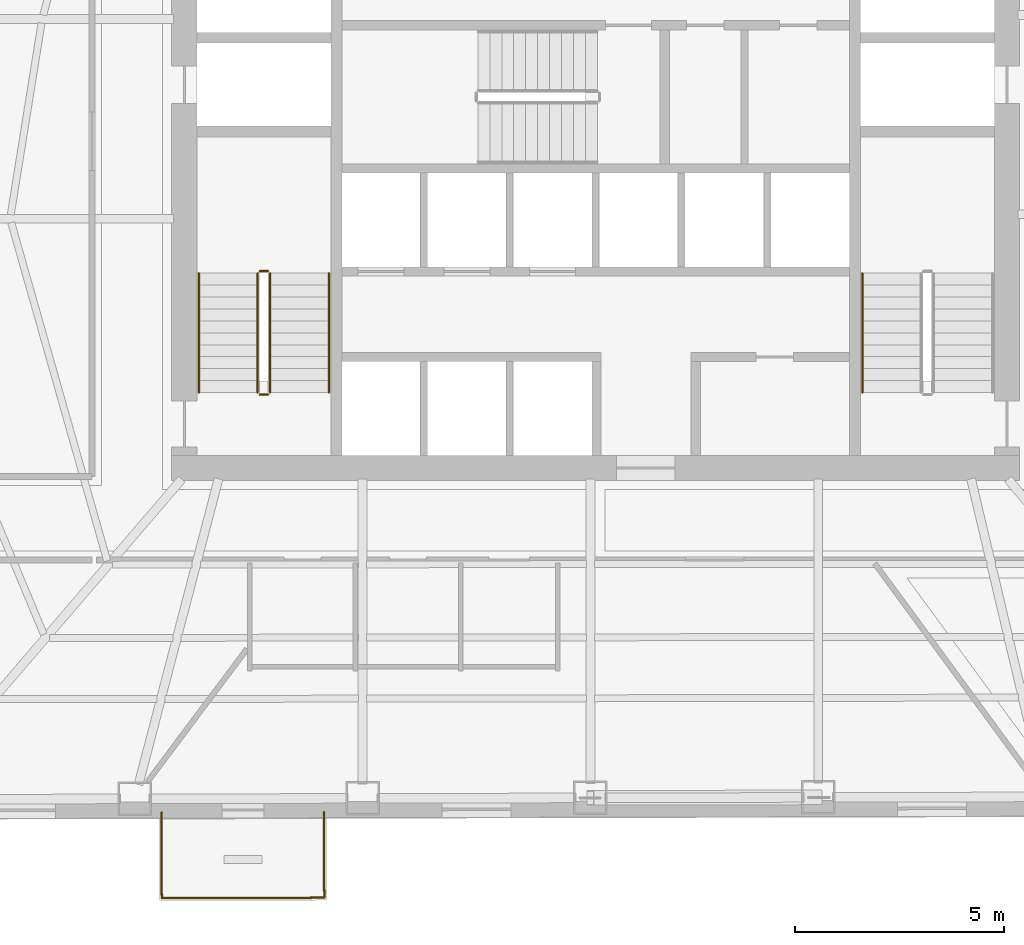
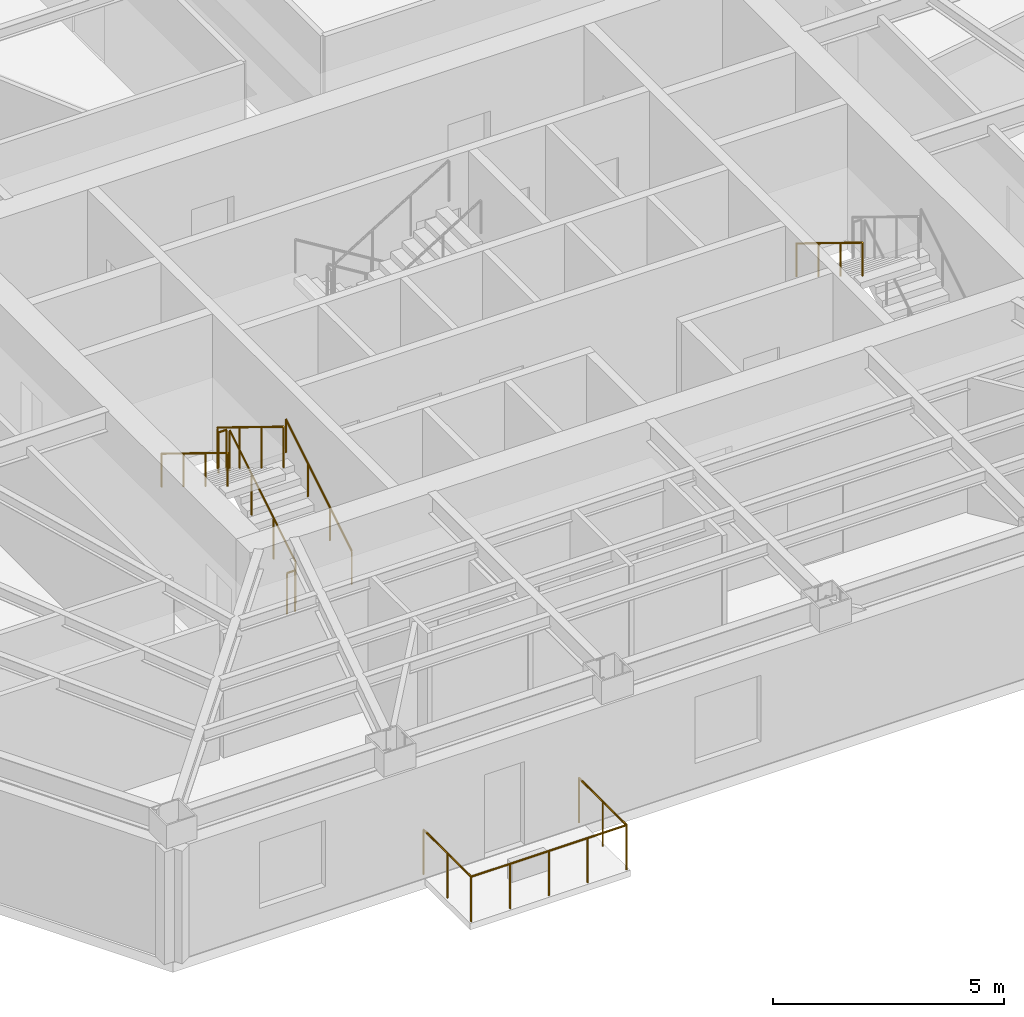
# One storey, part 11 of 14: 10 railings.
"""IFC4 building model written with IfcOpenShell, lengths in metres."""

from ifc_helpers import new_model, si_unit, direction, frame, origin, origin_2d, place, context, subcontext, project, spatial, circle, extrude, material, type_object, element, save


model = new_model("IFC4")

# Units and contexts
model_context = context("Model", 3, precision=1e-05, world=origin(), true_north=direction((0.0, 1.0)))
body_context = subcontext(model_context, "Body", "Model", "MODEL_VIEW")
ifc_project = project(units=[si_unit("LENGTHUNIT", "METRE"), si_unit("AREAUNIT", "SQUARE_METRE"), si_unit("VOLUMEUNIT", "CUBIC_METRE"), si_unit("PLANEANGLEUNIT", "RADIAN"), si_unit("MASSUNIT", "GRAM", prefix="KILO")], contexts=[model_context])

# Site, building, storey
site_placement = place(None, origin())
site = spatial("IfcSite", under=ifc_project, at=site_placement, CompositionType="ELEMENT")
building_placement = place(site_placement, origin())
building = spatial("IfcBuilding", under=site, at=building_placement, Name="Kavelnor Concourse Tower", CompositionType="ELEMENT")
storey_placement = place(building_placement, frame((0.0, 0.0, 17.550048828125)))
storey = spatial("IfcBuildingStorey", under=building, at=storey_placement, Name="L04", CompositionType="ELEMENT", Elevation=17.550048828125)

# Railings
ifc_material_1 = material(Name="Steel Grade 350", Category="steel")
railing_type_1 = type_object("IfcRailingType", Name="RLG-GUARD-1100", PredefinedType="GUARDRAIL", material=ifc_material_1)
railing_1_placement = place(storey_placement, frame((30.22998046875, 11.10009765625, 0.175048828125)))
element("IfcRailing", 1, at=railing_1_placement, inside=storey, type_object=railing_type_1, Name="L04 ST1 stair guard 1", PredefinedType="GUARDRAIL", context=body_context, shape_type="SweptSolid", body=[
    extrude(circle(Radius=0.02392578125, at=origin_2d()), frame((0.0, 0.0, 1.076171875), z_axis=(0.0, 0.852159232446, 0.523282564737), x_axis=(-1.0, 0.0, 0.0)), (0.0, 0.0, 1.0), 3.34423828125),
    extrude(circle(Radius=0.02099609375, at=origin_2d()), origin(), (0.0, 0.0, 1.0), 1.052001953125),
    extrude(circle(Radius=0.02099609375, at=origin_2d()), frame((0.0, 0.949951171875, 0.583251953125)), (0.0, 0.0, 1.0), 1.052001953125),
    extrude(circle(Radius=0.02099609375, at=origin_2d()), frame((0.0, 1.89990234375, 1.166748046875)), (0.0, 0.0, 1.0), 1.052001953125),
    extrude(circle(Radius=0.02099609375, at=origin_2d()), frame((0.0, 2.849853515625, 1.75)), (0.0, 0.0, 1.0), 1.052001953125),
])
railing_2_placement = place(storey_placement, frame((30.179931640625, 14.0, 1.925048828125)))
element("IfcRailing", 2, at=railing_2_placement, inside=storey, type_object=railing_type_1, Name="L04 ST1 stair guard 2", PredefinedType="GUARDRAIL", context=body_context, shape_type="SweptSolid", body=[
    extrude(circle(Radius=0.02392578125, at=origin_2d()), frame((0.0, 0.0, 1.076171875), z_axis=(-1.0, 0.0, 0.0), x_axis=(0.0, -1.0, 0.0)), (0.0, 0.0, 1.0), 0.199951171875),
    extrude(circle(Radius=0.02099609375, at=origin_2d()), origin(), (0.0, 0.0, 1.0), 1.052001953125),
    extrude(circle(Radius=0.02099609375, at=origin_2d()), frame((-0.199951171875, 0.0, 0.0)), (0.0, 0.0, 1.0), 1.052001953125),
])
railing_3_placement = place(storey_placement, frame((29.929931640625, 13.949951171875, 2.099853515625)))
element("IfcRailing", 3, at=railing_3_placement, inside=storey, type_object=railing_type_1, Name="L04 ST1 stair guard 3", PredefinedType="GUARDRAIL", context=body_context, shape_type="SweptSolid", body=[
    extrude(circle(Radius=0.02392578125, at=origin_2d()), frame((0.0, 0.0, 1.076171875), z_axis=(0.0, -0.852159232446, 0.523282564737), x_axis=(1.0, 0.0, 0.0)), (0.0, 0.0, 1.0), 3.34423828125),
    extrude(circle(Radius=0.02099609375, at=origin_2d()), origin(), (0.0, 0.0, 1.0), 1.052001953125),
    extrude(circle(Radius=0.02099609375, at=origin_2d()), frame((0.0, -0.949951171875, 0.583251953125)), (0.0, 0.0, 1.0), 1.052001953125),
    extrude(circle(Radius=0.02099609375, at=origin_2d()), frame((0.0, -1.89990234375, 1.166748046875)), (0.0, 0.0, 1.0), 1.052001953125),
    extrude(circle(Radius=0.02099609375, at=origin_2d()), frame((0.0, -2.849853515625, 1.75)), (0.0, 0.0, 1.0), 1.052001953125),
])
railing_4_placement = place(storey_placement, frame((30.179931640625, 11.050048828125, 0.0)))
element("IfcRailing", 4, at=railing_4_placement, inside=storey, type_object=railing_type_1, Name="L04 ST1 stair guard 4", PredefinedType="GUARDRAIL", context=body_context, shape_type="SweptSolid", body=[
    extrude(circle(Radius=0.02392578125, at=origin_2d()), frame((0.0, 0.0, 1.076171875), z_axis=(-1.0, 0.0, 0.0), x_axis=(0.0, -1.0, 0.0)), (0.0, 0.0, 1.0), 0.199951171875),
    extrude(circle(Radius=0.02099609375, at=origin_2d()), origin(), (0.0, 0.0, 1.0), 1.052001953125),
    extrude(circle(Radius=0.02099609375, at=origin_2d()), frame((-0.199951171875, 0.0, 0.0)), (0.0, 0.0, 1.0), 1.052001953125),
])
railing_type_2 = type_object("IfcRailingType", Name="RLG-HANDRAIL-900", PredefinedType="HANDRAIL", material=ifc_material_1)
railing_5_placement = place(storey_placement, frame((31.6298828125, 11.10009765625, 0.175048828125)))
element("IfcRailing", 5, at=railing_5_placement, inside=storey, type_object=railing_type_2, Name="L04 ST1 stair handrail 1", PredefinedType="HANDRAIL", context=body_context, shape_type="SweptSolid", body=[
    extrude(circle(Radius=0.02392578125, at=origin_2d()), frame((0.0, 0.0, 0.8759765625), z_axis=(0.0, 0.852159232446, 0.523282564737), x_axis=(-1.0, 0.0, 0.0)), (0.0, 0.0, 1.0), 3.34423828125),
    extrude(circle(Radius=0.02099609375, at=origin_2d()), origin(), (0.0, 0.0, 1.0), 0.851806640625),
    extrude(circle(Radius=0.02099609375, at=origin_2d()), frame((0.0, 0.949951171875, 0.583251953125)), (0.0, 0.0, 1.0), 0.851806640625),
    extrude(circle(Radius=0.02099609375, at=origin_2d()), frame((0.0, 1.89990234375, 1.166748046875)), (0.0, 0.0, 1.0), 0.851806640625),
    extrude(circle(Radius=0.02099609375, at=origin_2d()), frame((0.0, 2.849853515625, 1.75)), (0.0, 0.0, 1.0), 0.851806640625),
])
for number, where, name in (
    (6, (28.530029296875, 13.949951171875, 2.099853515625), "L04 ST1 stair handrail 2"),
    (7, (44.3701171875, 13.949951171875, 2.099853515625), "L04 ST2 stair handrail 2"),
):
    element("IfcRailing", number, at=place(storey_placement, frame(where)), inside=storey, type_object=railing_type_2, Name=name, PredefinedType="HANDRAIL", context=body_context, shape_type="SweptSolid", body=[
        extrude(circle(Radius=0.02392578125, at=origin_2d()), frame((0.0, 0.0, 0.8759765625), z_axis=(0.0, -0.852159232446, 0.523282564737), x_axis=(1.0, 0.0, 0.0)), (0.0, 0.0, 1.0), 3.34423828125),
        extrude(circle(Radius=0.02099609375, at=origin_2d()), origin(), (0.0, 0.0, 1.0), 0.851806640625),
        extrude(circle(Radius=0.02099609375, at=origin_2d()), frame((0.0, -0.949951171875, 0.583251953125)), (0.0, 0.0, 1.0), 0.851806640625),
        extrude(circle(Radius=0.02099609375, at=origin_2d()), frame((0.0, -1.89990234375, 1.166748046875)), (0.0, 0.0, 1.0), 0.851806640625),
        extrude(circle(Radius=0.02099609375, at=origin_2d()), frame((0.0, -2.849853515625, 1.75)), (0.0, 0.0, 1.0), 0.851806640625),
    ])
ifc_material_2 = material(Name="Architectural bronze-anodised aluminium", Category="aluminium")
railing_type_3 = type_object("IfcRailingType", Name="RLG-TERRACE-1200", PredefinedType="BALUSTRADE", material=ifc_material_2)
railing_6_placement = place(storey_placement, frame((27.63720703125, 1.080322265625, 0.0)))
element("IfcRailing", 8, at=railing_6_placement, inside=storey, type_object=railing_type_3, Name="L04 Tree Balcony 1 Guardrail L", PredefinedType="BALUSTRADE", context=body_context, shape_type="SweptSolid", body=[
    extrude(circle(Radius=0.02392578125, at=origin_2d()), frame((0.0, 0.0, 1.17578125), z_axis=(0.00214387311, -0.999997701901, 0.0), x_axis=(0.999997701901, 0.00214387311, 0.0)), (0.0, 0.0, 1.0), 2.0498046875),
    extrude(circle(Radius=0.02099609375, at=origin_2d()), origin(), (0.0, 0.0, 1.0), 1.15185546875),
    extrude(circle(Radius=0.02099609375, at=origin_2d()), frame((0.002197265625, -1.02490234375, 0.0)), (0.0, 0.0, 1.0), 1.15185546875),
    extrude(circle(Radius=0.02099609375, at=origin_2d()), frame((0.00439453125, -2.0498046875, 0.0)), (0.0, 0.0, 1.0), 1.15185546875),
])
railing_7_placement = place(storey_placement, frame((27.6416015625, -0.969482421875, 0.0)))
element("IfcRailing", 9, at=railing_7_placement, inside=storey, type_object=railing_type_3, Name="L04 Tree Balcony 1 Guardrail F", PredefinedType="BALUSTRADE", context=body_context, shape_type="SweptSolid", body=[
    extrude(circle(Radius=0.02392578125, at=origin_2d()), frame((0.0, 0.0, 1.17578125), z_axis=(0.999997711403, 0.002139436332, 0.0), x_axis=(-0.002139436332, 0.999997711403, 0.0)), (0.0, 0.0, 1.0), 3.8798828125),
    extrude(circle(Radius=0.02099609375, at=origin_2d()), origin(), (0.0, 0.0, 1.0), 1.15185546875),
    extrude(circle(Radius=0.02099609375, at=origin_2d()), frame((0.969970703125, 0.001953125, 0.0)), (0.0, 0.0, 1.0), 1.15185546875),
    extrude(circle(Radius=0.02099609375, at=origin_2d()), frame((1.93994140625, 0.004150390625, 0.0)), (0.0, 0.0, 1.0), 1.15185546875),
    extrude(circle(Radius=0.02099609375, at=origin_2d()), frame((2.909912109375, 0.00634765625, 0.0)), (0.0, 0.0, 1.0), 1.15185546875),
    extrude(circle(Radius=0.02099609375, at=origin_2d()), frame((3.8798828125, 0.00830078125, 0.0)), (0.0, 0.0, 1.0), 1.15185546875),
])
railing_8_placement = place(storey_placement, frame((31.521484375, -0.961181640625, 0.0)))
element("IfcRailing", 10, at=railing_8_placement, inside=storey, type_object=railing_type_3, Name="L04 Tree Balcony 1 Guardrail R", PredefinedType="BALUSTRADE", context=body_context, shape_type="SweptSolid", body=[
    extrude(circle(Radius=0.02392578125, at=origin_2d()), frame((0.0, 0.0, 1.17578125), z_axis=(-0.002143617797, 0.999997702449, 0.0), x_axis=(-0.999997702449, -0.002143617797, 0.0)), (0.0, 0.0, 1.0), 2.050048828125),
    extrude(circle(Radius=0.02099609375, at=origin_2d()), origin(), (0.0, 0.0, 1.0), 1.15185546875),
    extrude(circle(Radius=0.02099609375, at=origin_2d()), frame((-0.002197265625, 1.02490234375, 0.0)), (0.0, 0.0, 1.0), 1.15185546875),
    extrude(circle(Radius=0.02099609375, at=origin_2d()), frame((-0.00439453125, 2.050048828125, 0.0)), (0.0, 0.0, 1.0), 1.15185546875),
])

save(model, "model.ifc")
